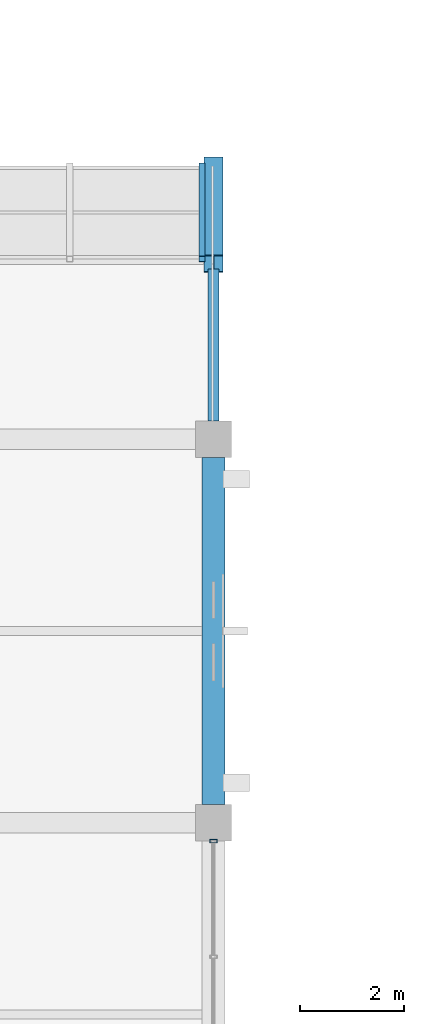
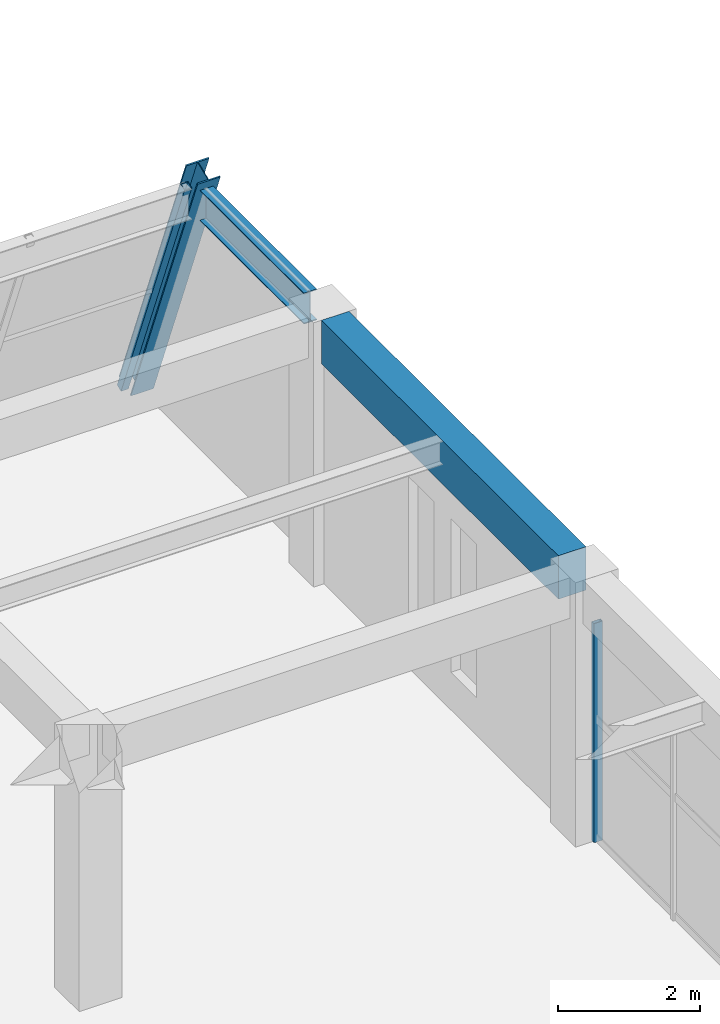
# One storey, part 69 of 161: 3 members, 2 beams, 2 elements without a shape of their own.
"""IFC4 building model written with IfcOpenShell, lengths in metres."""

from ifc_helpers import new_model, si_unit, direction, frame, origin, origin_2d, place, context, subcontext, project, spatial, rectangle, hollow_rectangle, i_section, extrude, material, material_profile, profile_set, type_object, element, aggregate, save


model = new_model("IFC4")

# Units and contexts
model_context = context("Model", 3, precision=1e-05, world=origin(), true_north=direction((0.0, 1.0)))
body_context = subcontext(model_context, "Body", "Model", "MODEL_VIEW")
ifc_project = project(units=[si_unit("LENGTHUNIT", "METRE"), si_unit("AREAUNIT", "SQUARE_METRE"), si_unit("VOLUMEUNIT", "CUBIC_METRE"), si_unit("PLANEANGLEUNIT", "RADIAN"), si_unit("MASSUNIT", "GRAM", prefix="KILO")], contexts=[model_context])

# Site, building, storey
site_placement = place(None, origin())
site = spatial("IfcSite", under=ifc_project, at=site_placement, CompositionType="ELEMENT")
building_placement = place(site_placement, origin())
building = spatial("IfcBuilding", under=site, at=building_placement, Name="Cimatlan Art Gallery", CompositionType="ELEMENT")
storey_placement = place(building_placement, frame((0.0, 0.0, 5.39990234375)))
storey = spatial("IfcBuildingStorey", under=building, at=storey_placement, Name="L01", CompositionType="ELEMENT", Elevation=5.39990234375)

# Beams
ifc_material_1 = material(Name="Concrete C40/50", Category="concrete")
ifc_material_profile_1 = material_profile(ifc_material_1, rectangle(XDim=0.449951171875, YDim=0.75, at=origin_2d()), Name="RC450X750")
ifc_profile_set_1 = profile_set([ifc_material_profile_1], Name="Concrete C40/50")
beam_type_1 = type_object("IfcBeamType", Name="BM-RC-450X750", PredefinedType="BEAM", material=ifc_profile_set_1)
beam_1_placement = place(storey_placement, frame((18.199951171875, 83.449951171875, 4.18505859375), z_axis=(0.0, 1.0, 0.0), x_axis=(-1.0, 0.0, 0.0)))
element("IfcBeam", 1, at=beam_1_placement, inside=storey, type_object=beam_type_1, Name="BM-Y-L01-02-11", PredefinedType="BEAM", context=body_context, shape_type="SweptSolid", body=[
    extrude(rectangle(XDim=0.449951171875, YDim=0.75, at=origin_2d()), origin(), (0.0, 0.0, 1.0), 6.699951171875),
])
ifc_material_2 = material(Name="Steel ASTM A992 Grade 50", Category="steel")
ifc_material_profile_2 = material_profile(ifc_material_2, i_section(OverallWidth=0.2099609375, OverallDepth=0.532958984375, WebThickness=0.01025390625, FlangeThickness=0.015625, at=origin_2d()), Name="W21X62")
ifc_profile_set_2 = profile_set([ifc_material_profile_2], Name="Steel ASTM A992 Grade 50")
beam_type_2 = type_object("IfcBeamType", Name="BM-STL-W21X62", PredefinedType="BEAM", material=ifc_profile_set_2)
beam_2_placement = place(storey_placement, frame((18.199951171875, 90.85009765625, 4.293701171875), z_axis=(0.0, 1.0, 0.0), x_axis=(-1.0, 0.0, 0.0)))
element("IfcBeam", 2, at=beam_2_placement, inside=storey, type_object=beam_type_2, Name="BM-PRW-Y-L01-B1-2", PredefinedType="BEAM", context=body_context, shape_type="SweptSolid", body=[
    extrude(i_section(OverallWidth=0.2099609375, OverallDepth=0.532958984375, WebThickness=0.01025390625, FlangeThickness=0.015625, at=origin_2d()), origin(), (0.0, 0.0, 1.0), 2.9365234375),
])

# Curtain wall, member
ifc_material_3 = material(Name="Anodised bronze unitised curtain wall")
curtain_wall_type_1 = type_object("IfcCurtainWallType", Name="CW-V-06692X03780-B3", PredefinedType="NOTDEFINED", material=ifc_material_3)
curtain_wall_1_placement = place(storey_placement, origin())
curtain_wall_1 = element("IfcCurtainWall", 3, at=curtain_wall_1_placement, inside=storey, type_object=curtain_wall_type_1, Name="CW-L01-01-10-E", PredefinedType="NOTDEFINED")
ifc_material_4 = material(Name="Anodised bronze aluminium 6063-T6", Category="aluminium")
ifc_material_profile_3 = material_profile(ifc_material_4, hollow_rectangle(XDim=0.06494140625, YDim=0.139892578125, WallThickness=0.00390625, at=origin_2d()), Name="ALU65X140X4")
ifc_profile_set_3 = profile_set([ifc_material_profile_3], Name="Anodised bronze aluminium 6063-T6")
member_type_1 = type_object("IfcMemberType", Name="CW-MUL-140", PredefinedType="MULLION", material=ifc_profile_set_3)
member_1_placement = place(storey_placement, frame((18.199951171875, 82.74609375, 0.0), z_axis=(0.0, 0.0, 1.0), x_axis=(0.0, 1.0, 0.0)))
member_1 = element("IfcMember", 4, at=member_1_placement, type_object=member_type_1, Name="CW-L01-01-10-E-M1", PredefinedType="MULLION", context=body_context, shape_type="SweptSolid", body=[
    extrude(hollow_rectangle(XDim=0.06494140625, YDim=0.139892578125, WallThickness=0.00390625, at=origin_2d()), origin(), (0.0, 0.0, 1.0), 3.780029296875),
])
aggregate(curtain_wall_1, [member_1])

ifc_material_5 = material(Name="Raked steel-and-bronze lancet curtain wall", Category="steel")
curtain_wall_type_2 = type_object("IfcCurtainWallType", Name="CW-RAK-07660X04901-B3", PredefinedType="NOTDEFINED", material=ifc_material_5)
curtain_wall_2_placement = place(storey_placement, origin())
curtain_wall_2 = element("IfcCurtainWall", 5, at=curtain_wall_2_placement, inside=storey, type_object=curtain_wall_type_2, Name="CW-PROW-L01-B1-1", PredefinedType="NOTDEFINED")
ifc_material_6 = material(Name="Steel ASTM A500 Grade C", Category="steel")
ifc_material_profile_4 = material_profile(ifc_material_6, hollow_rectangle(XDim=0.1201171875, YDim=0.1201171875, WallThickness=0.00634765625, at=origin_2d()), Name="HSS120X120X6")
ifc_profile_set_4 = profile_set([ifc_material_profile_4], Name="Steel ASTM A500 Grade C")
member_type_2 = type_object("IfcMemberType", Name="CW-MUL-RAK", PredefinedType="MULLION", material=ifc_profile_set_4)
member_2_placement = place(storey_placement, frame((17.97998046875, 95.77294921875, 0.0), z_axis=(0.0, -0.366481396036, 0.930425379254), x_axis=(1.0, 0.0, 0.0)))
member_2 = element("IfcMember", 6, at=member_2_placement, type_object=member_type_2, Name="CW-PROW-L01-B1-1-M4", PredefinedType="MULLION", context=body_context, shape_type="SweptSolid", body=[
    extrude(hollow_rectangle(XDim=0.1201171875, YDim=0.1201171875, WallThickness=0.00634765625, at=origin_2d()), origin(), (0.0, 0.0, 1.0), 4.901123046875),
])
aggregate(curtain_wall_2, [member_2])

# Member
ifc_material_profile_5 = material_profile(ifc_material_2, i_section(OverallWidth=0.37109375, OverallDepth=0.364013671875, WebThickness=0.01318359375, FlangeThickness=0.021728515625, at=origin_2d()), Name="W14X109")
ifc_profile_set_5 = profile_set([ifc_material_profile_5], Name="Steel ASTM A992 Grade 50")
member_type_3 = type_object("IfcMemberType", Name="MBR-RAK-W14X109", PredefinedType="RAFTER", material=ifc_profile_set_5)
member_3_placement = place(storey_placement, frame((18.199951171875, 95.77294921875, 0.0), z_axis=(0.0, -0.366514587358, 0.930412304978), x_axis=(1.0, 0.0, 0.0)))
element("IfcMember", 7, at=member_3_placement, inside=storey, type_object=member_type_3, Name="MBR-RAK-L01-B1-02", PredefinedType="RAFTER", context=body_context, shape_type="SweptSolid", body=[
    extrude(i_section(OverallWidth=0.37109375, OverallDepth=0.364013671875, WebThickness=0.01318359375, FlangeThickness=0.021728515625, at=origin_2d()), origin(), (0.0, 0.0, 1.0), 5.158935546875),
])

save(model, "model.ifc")
